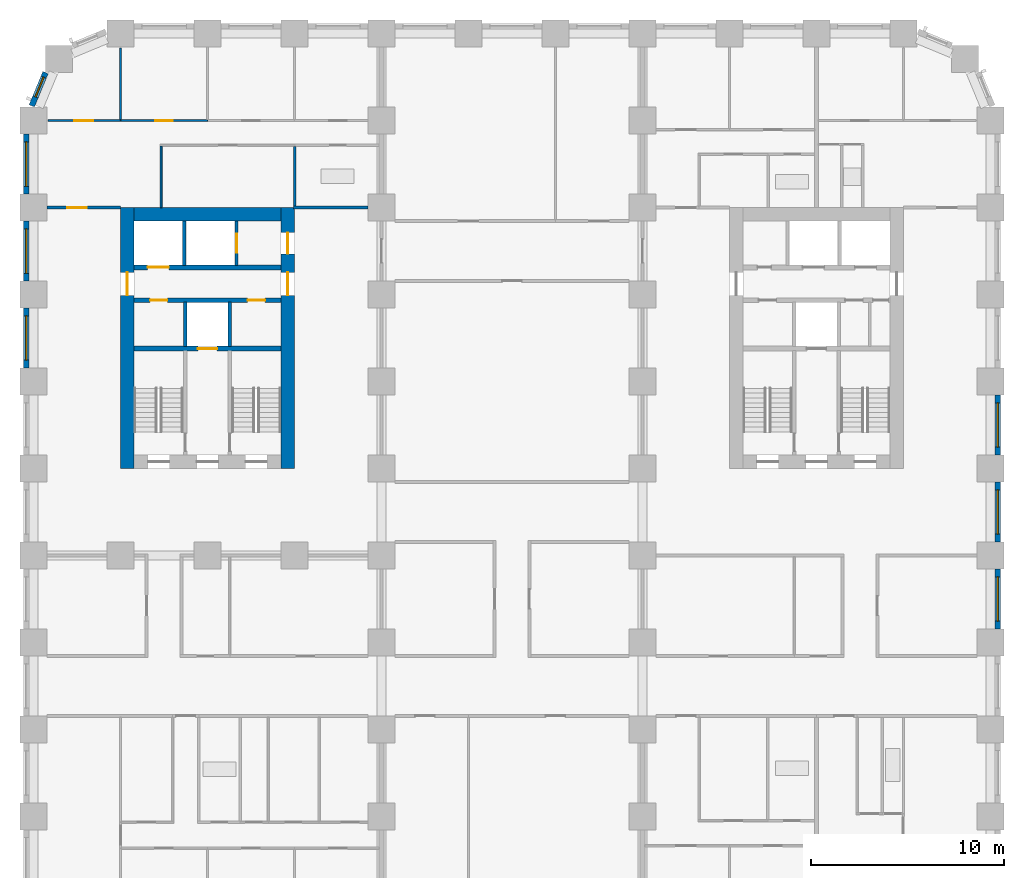
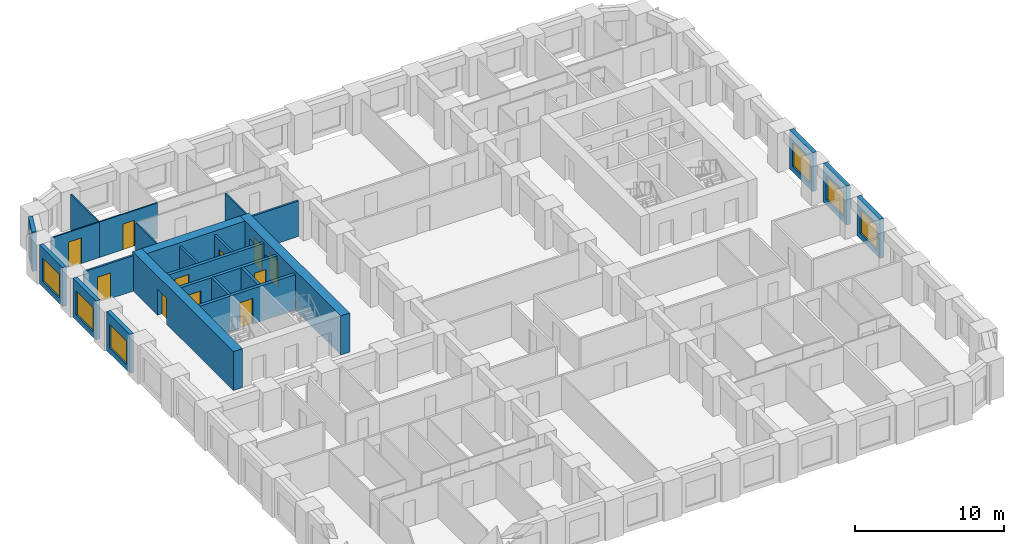
# One storey, part 6 of 12: 24 walls, 11 doors, 7 windows, 18 openings.
"""IFC4 building model written with IfcOpenShell, lengths in metres."""

from ifc_helpers import new_model, si_unit, direction, frame, frame_2d, origin, place, context, subcontext, project, spatial, rectangle, extrude, material, layer, layer_set, type_object, element, fill, save


model = new_model("IFC4")

# Units and contexts
model_context = context("Model", 3, precision=1e-05, world=origin(), true_north=direction((0.0, 1.0)))
body_context = subcontext(model_context, "Body", "Model", "MODEL_VIEW")
ifc_project = project(units=[si_unit("LENGTHUNIT", "METRE"), si_unit("AREAUNIT", "SQUARE_METRE"), si_unit("VOLUMEUNIT", "CUBIC_METRE"), si_unit("PLANEANGLEUNIT", "RADIAN"), si_unit("MASSUNIT", "GRAM", prefix="KILO")], contexts=[model_context])

# Site, building, storey
site_placement = place(None, origin())
site = spatial("IfcSite", under=ifc_project, at=site_placement, CompositionType="ELEMENT")
building_placement = place(site_placement, origin())
building = spatial("IfcBuilding", under=site, at=building_placement, Name="Girih Gate Residences", CompositionType="ELEMENT")
storey_placement = place(building_placement, frame((0.0, 0.0, 65.60009765625)))
storey = spatial("IfcBuildingStorey", under=building, at=storey_placement, Name="L17", CompositionType="ELEMENT", Elevation=65.60009765625)

# Wall
ifc_material_1 = material(Name="Gypsum board on steel studs", Category="steel")
ifc_layer_1 = layer(ifc_material_1, 0.14990234375)
ifc_layer_set_1 = layer_set([ifc_layer_1], Name="Compartment wall 150 mm")
wall_type_1 = type_object("IfcWallType", Name="Compartment wall 150 mm", PredefinedType="PARTITIONING", material=ifc_layer_set_1)
wall_1_placement = place(storey_placement, frame((13.45556640625, 40.5, 0.0), z_axis=(0.0, 0.0, 1.0), x_axis=(1.0, 0.0, 0.0)))
element("IfcWall", 1, at=wall_1_placement, inside=storey, type_object=wall_type_1, Name="L17 partition", PredefinedType="PARTITIONING", context=body_context, shape_type="SweptSolid", body=[
    extrude(rectangle(XDim=3.844482421875, YDim=0.14990234375, at=frame_2d((1.92236328125, 0.0))), origin(), (0.0, 0.0, 1.0), 2.89990234375),
])

# Wall, opening, door
wall_2_placement = place(storey_placement, frame((0.699951171875, 40.5, 0.0), z_axis=(0.0, 0.0, 1.0), x_axis=(1.0, 0.0, 0.0)))
wall_2 = element("IfcWall", 2, at=wall_2_placement, inside=storey, type_object=wall_type_1, Name="L17 partition", PredefinedType="PARTITIONING", context=body_context, shape_type="SweptSolid", body=[
    extrude(rectangle(XDim=3.800048828125, YDim=0.14990234375, at=frame_2d((1.89990234375, 0.0))), origin(), (0.0, 0.0, 1.0), 2.89990234375),
])
opening_1_placement = place(wall_2_placement, frame((1.050048828125, 0.0, 0.0)))
opening_1 = element("IfcOpeningElement", 3, at=opening_1_placement, cuts=wall_2, Name="Opening A17-017", PredefinedType="OPENING", context=body_context, shape_type="SweptSolid", body=[
    extrude(rectangle(XDim=1.0, YDim=2.10009765625, at=frame_2d((0.5, 1.050048828125))), frame((0.0, 0.0849609375, 0.0), z_axis=(0.0, -1.0, 0.0), x_axis=(1.0, 0.0, 0.0)), (0.0, 0.0, 1.0), 0.169921875),
])
ifc_material_2 = material(Name="Timber, fire-rated core", Category="wood")
door_type_1 = type_object("IfcDoorType", Name="Flat entrance door 1000x2100 FD30S", OperationType="NOTDEFINED", PredefinedType="DOOR", material=ifc_material_2)
door_1_placement = place(opening_1_placement, origin())
door_1 = element("IfcDoor", 4, at=door_1_placement, inside=storey, type_object=door_type_1, Name="Door A17-017", OperationType="SINGLE_SWING_LEFT", OverallHeight=2.10009765625, OverallWidth=1.0, PredefinedType="DOOR", context=body_context, shape_type="SweptSolid", body=[
    extrude(rectangle(XDim=1.0, YDim=2.10009765625, at=frame_2d((0.5, 1.050048828125))), frame((0.0, 0.02490234375, 0.0), z_axis=(0.0, -1.0, 0.0), x_axis=(1.0, 0.0, 0.0)), (0.0, 0.0, 1.0), 0.050048828125),
])
fill(opening_1, door_1)

# Wall
ifc_material_3 = material(Name="Concrete C60/75", Category="concrete")
ifc_layer_2 = layer(ifc_material_3, 0.699951171875)
ifc_layer_set_2 = layer_set([ifc_layer_2], Name="Core wall RC 700 Concrete C60/75")
wall_type_2 = type_object("IfcWallType", Name="Core wall RC 700 Concrete C60/75", PredefinedType="SOLIDWALL", material=ifc_layer_set_2)
wall_3_placement = place(storey_placement, frame((5.199951171875, 40.14990234375, 0.0), z_axis=(0.0, 0.0, 1.0), x_axis=(1.0, 0.0, 0.0)))
element("IfcWall", 5, at=wall_3_placement, inside=storey, type_object=wall_type_2, Name="Core wall W-N L17", PredefinedType="SOLIDWALL", context=body_context, shape_type="SweptSolid", body=[
    extrude(rectangle(XDim=7.60009765625, YDim=0.699951171875, at=frame_2d((3.800048828125, 0.0))), origin(), (0.0, 0.0, 1.0), 3.199951171875),
])

# Wall, opening, door
wall_4_placement = place(storey_placement, frame((4.85009765625, 27.0, 0.0), z_axis=(0.0, 0.0, 1.0), x_axis=(0.0, 1.0, 0.0)))
wall_4 = element("IfcWall", 6, at=wall_4_placement, inside=storey, type_object=wall_type_2, Name="Core wall W-W L17", PredefinedType="SOLIDWALL", context=body_context, shape_type="SweptSolid", body=[
    extrude(rectangle(XDim=13.5, YDim=0.699951171875, at=frame_2d((6.75, 0.0))), origin(), (0.0, 0.0, 1.0), 3.199951171875),
])
opening_2_placement = place(wall_4_placement, frame((8.949951171875, 0.0, 0.0)))
opening_2 = element("IfcOpeningElement", 7, at=opening_2_placement, cuts=wall_4, Name="Opening D-L17-W-012", PredefinedType="OPENING", context=body_context, shape_type="SweptSolid", body=[
    extrude(rectangle(XDim=1.199951171875, YDim=2.10009765625, at=frame_2d((0.60009765625, 1.050048828125))), frame((0.0, 0.35986328125, 0.0), z_axis=(0.0, -1.0, 0.0), x_axis=(1.0, 0.0, 0.0)), (0.0, 0.0, 1.0), 0.719970703125),
])
ifc_material_4 = material(Name="Painted steel, fire-resisting", Category="steel")
door_type_2 = type_object("IfcDoorType", Name="Fire door 1200x2100", OperationType="SINGLE_SWING_LEFT", PredefinedType="DOOR", material=ifc_material_4)
door_2_placement = place(opening_2_placement, origin())
door_2 = element("IfcDoor", 8, at=door_2_placement, inside=storey, type_object=door_type_2, Name="L17 W core door ll-w", OperationType="SINGLE_SWING_LEFT", OverallHeight=2.10009765625, OverallWidth=1.199951171875, PredefinedType="DOOR", context=body_context, shape_type="SweptSolid", body=[
    extrude(rectangle(XDim=1.199951171875, YDim=2.10009765625, at=frame_2d((0.60009765625, 1.050048828125))), frame((0.0, 0.02490234375, 0.0), z_axis=(0.0, -1.0, 0.0), x_axis=(1.0, 0.0, 0.0)), (0.0, 0.0, 1.0), 0.050048828125),
])
fill(opening_2, door_2)

# Wall, openings, doors
wall_5_placement = place(storey_placement, frame((13.14990234375, 27.0, 0.0), z_axis=(0.0, 0.0, 1.0), x_axis=(0.0, 1.0, 0.0)))
wall_5 = element("IfcWall", 9, at=wall_5_placement, inside=storey, type_object=wall_type_2, Name="Core wall W-E L17", PredefinedType="SOLIDWALL", context=body_context, shape_type="SweptSolid", body=[
    extrude(rectangle(XDim=13.5, YDim=0.699951171875, at=frame_2d((6.75, 0.0))), origin(), (0.0, 0.0, 1.0), 3.199951171875),
])
opening_3_placement = place(wall_5_placement, frame((11.10009765625, 0.0, 0.0)))
opening_3 = element("IfcOpeningElement", 10, at=opening_3_placement, cuts=wall_5, Name="Opening D-L17-W-011", PredefinedType="OPENING", context=body_context, shape_type="SweptSolid", body=[
    extrude(rectangle(XDim=1.10009765625, YDim=2.10009765625, at=frame_2d((0.550048828125, 1.050048828125))), frame((0.0, 0.35986328125, 0.0), z_axis=(0.0, -1.0, 0.0), x_axis=(1.0, 0.0, 0.0)), (0.0, 0.0, 1.0), 0.719970703125),
])
opening_4_placement = place(wall_5_placement, frame((8.949951171875, 0.0, 0.0)))
opening_4 = element("IfcOpeningElement", 11, at=opening_4_placement, cuts=wall_5, Name="Opening D-L17-W-013", PredefinedType="OPENING", context=body_context, shape_type="SweptSolid", body=[
    extrude(rectangle(XDim=1.199951171875, YDim=2.10009765625, at=frame_2d((0.60009765625, 1.050048828125))), frame((0.0, 0.35986328125, 0.0), z_axis=(0.0, -1.0, 0.0), x_axis=(1.0, 0.0, 0.0)), (0.0, 0.0, 1.0), 0.719970703125),
])
door_type_3 = type_object("IfcDoorType", Name="Fire door 1100x2100", OperationType="SINGLE_SWING_LEFT", PredefinedType="DOOR", material=ifc_material_4)
door_3_placement = place(opening_3_placement, origin())
door_3 = element("IfcDoor", 12, at=door_3_placement, inside=storey, type_object=door_type_3, Name="L17 W core door ffl2-e", OperationType="SINGLE_SWING_LEFT", OverallHeight=2.10009765625, OverallWidth=1.10009765625, PredefinedType="DOOR", context=body_context, shape_type="SweptSolid", body=[
    extrude(rectangle(XDim=1.10009765625, YDim=2.10009765625, at=frame_2d((0.550048828125, 1.050048828125))), frame((0.0, 0.02490234375, 0.0), z_axis=(0.0, -1.0, 0.0), x_axis=(1.0, 0.0, 0.0)), (0.0, 0.0, 1.0), 0.050048828125),
])
fill(opening_3, door_3)
door_4_placement = place(opening_4_placement, origin())
door_4 = element("IfcDoor", 13, at=door_4_placement, inside=storey, type_object=door_type_2, Name="L17 W core door ll-e", OperationType="SINGLE_SWING_LEFT", OverallHeight=2.10009765625, OverallWidth=1.199951171875, PredefinedType="DOOR", context=body_context, shape_type="SweptSolid", body=[
    extrude(rectangle(XDim=1.199951171875, YDim=2.10009765625, at=frame_2d((0.60009765625, 1.050048828125))), frame((0.0, 0.02490234375, 0.0), z_axis=(0.0, -1.0, 0.0), x_axis=(1.0, 0.0, 0.0)), (0.0, 0.0, 1.0), 0.050048828125),
])
fill(opening_4, door_4)

# Wall, opening, door
ifc_material_5 = material(Name="Concrete C40/50", Category="concrete")
ifc_layer_3 = layer(ifc_material_5, 0.25)
ifc_layer_set_3 = layer_set([ifc_layer_3], Name="Lift shaft wall 250")
wall_type_3 = type_object("IfcWallType", Name="Lift shaft wall 250", PredefinedType="SOLIDWALL", material=ifc_layer_set_3)
wall_6_placement = place(storey_placement, frame((5.199951171875, 33.199951171875, 0.0), z_axis=(0.0, 0.0, 1.0), x_axis=(1.0, 0.0, 0.0)))
wall_6 = element("IfcWall", 14, at=wall_6_placement, inside=storey, type_object=wall_type_3, Name="L17 W core wall H1", PredefinedType="SOLIDWALL", context=body_context, shape_type="SweptSolid", body=[
    extrude(rectangle(XDim=7.60009765625, YDim=0.25, at=frame_2d((3.800048828125, 0.0))), origin(), (0.0, 0.0, 1.0), 2.89990234375),
])
opening_5_placement = place(wall_6_placement, frame((3.300048828125, 0.0, 0.0)))
opening_5 = element("IfcOpeningElement", 15, at=opening_5_placement, cuts=wall_6, Name="Opening D-L17-W-005", PredefinedType="OPENING", context=body_context, shape_type="SweptSolid", body=[
    extrude(rectangle(XDim=1.0, YDim=2.10009765625, at=frame_2d((0.5, 1.050048828125))), frame((0.0, 0.135009765625, 0.0), z_axis=(0.0, -1.0, 0.0), x_axis=(1.0, 0.0, 0.0)), (0.0, 0.0, 1.0), 0.27001953125),
])
ifc_material_6 = material(Name="Stainless steel, fire-resisting", Category="steel")
door_type_4 = type_object("IfcDoorType", Name="Firefighting lift landing door 1000x2100", OperationType="SLIDING_TO_LEFT", PredefinedType="DOOR", material=ifc_material_6)
door_5_placement = place(opening_5_placement, origin())
door_5 = element("IfcDoor", 16, at=door_5_placement, inside=storey, type_object=door_type_4, Name="L17 lift FF-W landing door", OperationType="SLIDING_TO_LEFT", OverallHeight=2.10009765625, OverallWidth=1.0, PredefinedType="DOOR", context=body_context, shape_type="SweptSolid", body=[
    extrude(rectangle(XDim=1.0, YDim=2.10009765625, at=frame_2d((0.5, 1.050048828125))), frame((0.0, 0.02490234375, 0.0), z_axis=(0.0, -1.0, 0.0), x_axis=(1.0, 0.0, 0.0)), (0.0, 0.0, 1.0), 0.050048828125),
])
fill(opening_5, door_5)

# Wall, openings, doors
wall_7_placement = place(storey_placement, frame((5.199951171875, 35.699951171875, 0.0), z_axis=(0.0, 0.0, 1.0), x_axis=(1.0, 0.0, 0.0)))
wall_7 = element("IfcWall", 17, at=wall_7_placement, inside=storey, type_object=wall_type_3, Name="L17 W core wall H2", PredefinedType="SOLIDWALL", context=body_context, shape_type="SweptSolid", body=[
    extrude(rectangle(XDim=7.60009765625, YDim=0.25, at=frame_2d((3.800048828125, 0.0))), origin(), (0.0, 0.0, 1.0), 2.89990234375),
])
opening_6_placement = place(wall_7_placement, frame((0.824951171875, 0.0, 0.0)))
opening_6 = element("IfcOpeningElement", 18, at=opening_6_placement, cuts=wall_7, Name="Opening D-L17-W-006", PredefinedType="OPENING", context=body_context, shape_type="SweptSolid", body=[
    extrude(rectangle(XDim=0.89990234375, YDim=2.10009765625, at=frame_2d((0.449951171875, 1.050048828125))), frame((0.0, 0.135009765625, 0.0), z_axis=(0.0, -1.0, 0.0), x_axis=(1.0, 0.0, 0.0)), (0.0, 0.0, 1.0), 0.27001953125),
])
opening_7_placement = place(wall_7_placement, frame((5.875, 0.0, 0.0)))
opening_7 = element("IfcOpeningElement", 19, at=opening_7_placement, cuts=wall_7, Name="Opening D-L17-W-007", PredefinedType="OPENING", context=body_context, shape_type="SweptSolid", body=[
    extrude(rectangle(XDim=0.89990234375, YDim=2.10009765625, at=frame_2d((0.449951171875, 1.050048828125))), frame((0.0, 0.135009765625, 0.0), z_axis=(0.0, -1.0, 0.0), x_axis=(1.0, 0.0, 0.0)), (0.0, 0.0, 1.0), 0.27001953125),
])
door_type_5 = type_object("IfcDoorType", Name="Fire door 900x2100", OperationType="SINGLE_SWING_LEFT", PredefinedType="DOOR", material=ifc_material_4)
door_6_placement = place(opening_6_placement, origin())
door_6 = element("IfcDoor", 20, at=door_6_placement, inside=storey, type_object=door_type_5, Name="L17 W comms room door", OperationType="SINGLE_SWING_LEFT", OverallHeight=2.10009765625, OverallWidth=0.89990234375, PredefinedType="DOOR", context=body_context, shape_type="SweptSolid", body=[
    extrude(rectangle(XDim=0.89990234375, YDim=2.10009765625, at=frame_2d((0.449951171875, 1.050048828125))), frame((0.0, 0.02490234375, 0.0), z_axis=(0.0, -1.0, 0.0), x_axis=(1.0, 0.0, 0.0)), (0.0, 0.0, 1.0), 0.050048828125),
])
fill(opening_6, door_6)
door_7_placement = place(opening_7_placement, origin())
door_7 = element("IfcDoor", 21, at=door_7_placement, inside=storey, type_object=door_type_5, Name="L17 W cleaners store door", OperationType="SINGLE_SWING_LEFT", OverallHeight=2.10009765625, OverallWidth=0.89990234375, PredefinedType="DOOR", context=body_context, shape_type="SweptSolid", body=[
    extrude(rectangle(XDim=0.89990234375, YDim=2.10009765625, at=frame_2d((0.449951171875, 1.050048828125))), frame((0.0, 0.02490234375, 0.0), z_axis=(0.0, -1.0, 0.0), x_axis=(1.0, 0.0, 0.0)), (0.0, 0.0, 1.0), 0.050048828125),
])
fill(opening_7, door_7)

# Wall, opening, door
wall_8_placement = place(storey_placement, frame((5.199951171875, 37.39990234375, 0.0), z_axis=(0.0, 0.0, 1.0), x_axis=(1.0, 0.0, 0.0)))
wall_8 = element("IfcWall", 22, at=wall_8_placement, inside=storey, type_object=wall_type_3, Name="L17 W core wall H3", PredefinedType="SOLIDWALL", context=body_context, shape_type="SweptSolid", body=[
    extrude(rectangle(XDim=7.60009765625, YDim=0.25, at=frame_2d((3.800048828125, 0.0))), origin(), (0.0, 0.0, 1.0), 2.89990234375),
])
opening_8_placement = place(wall_8_placement, frame((0.699951171875, 0.0, 0.0)))
opening_8 = element("IfcOpeningElement", 23, at=opening_8_placement, cuts=wall_8, Name="Opening D-L17-W-003", PredefinedType="OPENING", context=body_context, shape_type="SweptSolid", body=[
    extrude(rectangle(XDim=1.10009765625, YDim=2.39990234375, at=frame_2d((0.550048828125, 1.199951171875))), frame((0.0, 0.135009765625, 0.0), z_axis=(0.0, -1.0, 0.0), x_axis=(1.0, 0.0, 0.0)), (0.0, 0.0, 1.0), 0.27001953125),
])
ifc_material_7 = material(Name="Stainless steel", Category="steel")
door_type_6 = type_object("IfcDoorType", Name="Lift landing door 1100x2400", OperationType="SLIDING_TO_LEFT", PredefinedType="DOOR", material=ifc_material_7)
door_8_placement = place(opening_8_placement, origin())
door_8 = element("IfcDoor", 24, at=door_8_placement, inside=storey, type_object=door_type_6, Name="L17 lift LR-W1 landing door", OperationType="SLIDING_TO_LEFT", OverallHeight=2.39990234375, OverallWidth=1.10009765625, PredefinedType="DOOR", context=body_context, shape_type="SweptSolid", body=[
    extrude(rectangle(XDim=1.10009765625, YDim=2.39990234375, at=frame_2d((0.550048828125, 1.199951171875))), frame((0.0, 0.02490234375, 0.0), z_axis=(0.0, -1.0, 0.0), x_axis=(1.0, 0.0, 0.0)), (0.0, 0.0, 1.0), 0.050048828125),
])
fill(opening_8, door_8)

ifc_layer_4 = layer(ifc_material_1, 0.10009765625)
ifc_layer_set_4 = layer_set([ifc_layer_4], Name="Partition 100 mm")
wall_type_4 = type_object("IfcWallType", Name="Partition 100 mm", PredefinedType="PARTITIONING", material=ifc_layer_set_4)
wall_9_placement = place(storey_placement, frame((4.5, 45.0, 0.0), z_axis=(0.0, 0.0, 1.0), x_axis=(1.0, 0.0, 0.0)))
wall_9 = element("IfcWall", 25, at=wall_9_placement, inside=storey, type_object=wall_type_4, Name="L17 partition", PredefinedType="PARTITIONING", context=body_context, shape_type="SweptSolid", body=[
    extrude(rectangle(XDim=4.5, YDim=0.10009765625, at=frame_2d((2.25, 0.0))), origin(), (0.0, 0.0, 1.0), 2.89990234375),
])
opening_9_placement = place(wall_9_placement, frame((1.800048828125, 0.0, 0.0)))
opening_9 = element("IfcOpeningElement", 26, at=opening_9_placement, cuts=wall_9, Name="Opening A17-012", PredefinedType="OPENING", context=body_context, shape_type="SweptSolid", body=[
    extrude(rectangle(XDim=0.89990234375, YDim=2.10009765625, at=frame_2d((0.449951171875, 1.050048828125))), frame((0.0, 0.06005859375, 0.0), z_axis=(0.0, -1.0, 0.0), x_axis=(1.0, 0.0, 0.0)), (0.0, 0.0, 1.0), 0.1201171875),
])
ifc_material_8 = material(Name="Timber", Category="wood")
door_type_7 = type_object("IfcDoorType", Name="Bedroom door 900x2100", OperationType="NOTDEFINED", PredefinedType="DOOR", material=ifc_material_8)
door_9_placement = place(opening_9_placement, origin())
door_9 = element("IfcDoor", 27, at=door_9_placement, inside=storey, type_object=door_type_7, Name="Door A17-012", OperationType="SINGLE_SWING_RIGHT", OverallHeight=2.10009765625, OverallWidth=0.89990234375, PredefinedType="DOOR", context=body_context, shape_type="SweptSolid", body=[
    extrude(rectangle(XDim=0.89990234375, YDim=2.10009765625, at=frame_2d((0.449951171875, 1.050048828125))), frame((0.0, 0.02490234375, 0.0), z_axis=(0.0, -1.0, 0.0), x_axis=(1.0, 0.0, 0.0)), (0.0, 0.0, 1.0), 0.050048828125),
])
fill(opening_9, door_9)

# Walls
wall_10_placement = place(storey_placement, frame((4.5, 45.050048828125, 0.0), z_axis=(0.0, 0.0, 1.0), x_axis=(0.0, 1.0, 0.0)))
element("IfcWall", 28, at=wall_10_placement, inside=storey, type_object=wall_type_4, Name="L17 partition", PredefinedType="PARTITIONING", context=body_context, shape_type="SweptSolid", body=[
    extrude(rectangle(XDim=3.6923828125, YDim=0.10009765625, at=frame_2d((1.84619140625, 0.0))), origin(), (0.0, 0.0, 1.0), 2.89990234375),
])
wall_11_placement = place(storey_placement, frame((6.60009765625, 40.5, 0.0), z_axis=(0.0, 0.0, 1.0), x_axis=(0.0, 1.0, 0.0)))
element("IfcWall", 29, at=wall_11_placement, inside=storey, type_object=wall_type_4, Name="L17 partition", PredefinedType="PARTITIONING", context=body_context, shape_type="SweptSolid", body=[
    extrude(rectangle(XDim=3.169921875, YDim=0.10009765625, at=frame_2d((1.5849609375, 0.0))), origin(), (0.0, 0.0, 1.0), 2.89990234375),
])

# Wall, opening, door
wall_12_placement = place(storey_placement, frame((0.757568359375, 45.0, 0.0), z_axis=(0.0, 0.0, 1.0), x_axis=(1.0, 0.0, 0.0)))
wall_12 = element("IfcWall", 30, at=wall_12_placement, inside=storey, type_object=wall_type_4, Name="L17 partition", PredefinedType="PARTITIONING", context=body_context, shape_type="SweptSolid", body=[
    extrude(rectangle(XDim=3.742431640625, YDim=0.10009765625, at=frame_2d((1.87109375, 0.0))), origin(), (0.0, 0.0, 1.0), 2.89990234375),
])
opening_10_placement = place(wall_12_placement, frame((1.34228515625, 0.0, 0.0)))
opening_10 = element("IfcOpeningElement", 31, at=opening_10_placement, cuts=wall_12, Name="Opening A17-016", PredefinedType="OPENING", context=body_context, shape_type="SweptSolid", body=[
    extrude(rectangle(XDim=1.0, YDim=2.10009765625, at=frame_2d((0.5, 1.050048828125))), frame((0.0, 0.06005859375, 0.0), z_axis=(0.0, -1.0, 0.0), x_axis=(1.0, 0.0, 0.0)), (0.0, 0.0, 1.0), 0.1201171875),
])
door_type_8 = type_object("IfcDoorType", Name="Living room door 1000x2100", OperationType="NOTDEFINED", PredefinedType="DOOR", material=ifc_material_8)
door_10_placement = place(opening_10_placement, origin())
door_10 = element("IfcDoor", 32, at=door_10_placement, inside=storey, type_object=door_type_8, Name="Door A17-016", OperationType="SINGLE_SWING_LEFT", OverallHeight=2.10009765625, OverallWidth=1.0, PredefinedType="DOOR", context=body_context, shape_type="SweptSolid", body=[
    extrude(rectangle(XDim=1.0, YDim=2.10009765625, at=frame_2d((0.5, 1.050048828125))), frame((0.0, 0.02490234375, 0.0), z_axis=(0.0, -1.0, 0.0), x_axis=(1.0, 0.0, 0.0)), (0.0, 0.0, 1.0), 0.050048828125),
])
fill(opening_10, door_10)

# Wall, opening, window
ifc_material_9 = material(Name="Precast concrete C50/60", Category="concrete")
ifc_layer_5 = layer(ifc_material_9, 0.080078125, Name="Outer leaf")
ifc_material_10 = material(Name="Rigid PIR insulation")
ifc_layer_6 = layer(ifc_material_10, 0.14990234375, Name="Insulation")
ifc_material_11 = material(Name="Precast concrete C40/50", Category="concrete")
ifc_layer_7 = layer(ifc_material_11, 0.070068359375, Name="Inner leaf")
ifc_layer_set_5 = layer_set([ifc_layer_5, ifc_layer_6, ifc_layer_7], Name="Precast concrete C50/60 external wall 300")
wall_type_5 = type_object("IfcWallType", Name="Precast concrete C50/60 external wall 300", PredefinedType="SOLIDWALL", material=ifc_layer_set_5)
wall_13_placement = place(storey_placement, frame((49.875, 21.800048828125, 0.0), z_axis=(0.0, 0.0, 1.0), x_axis=(0.0, -1.0, 0.0)))
wall_13 = element("IfcWall", 33, at=wall_13_placement, inside=storey, type_object=wall_type_5, Name="External wall E0495_0045.3", PredefinedType="SOLIDWALL", context=body_context, shape_type="SweptSolid", body=[
    extrude(rectangle(XDim=3.10009765625, YDim=0.300048828125, at=frame_2d((1.550048828125, 0.0))), origin(), (0.0, 0.0, 1.0), 3.199951171875),
])
opening_11_placement = place(wall_13_placement, frame((0.39990234375, 0.0, 0.449951171875)))
opening_11 = element("IfcOpeningElement", 34, at=opening_11_placement, cuts=wall_13, Name="Opening W-1", PredefinedType="OPENING", context=body_context, shape_type="SweptSolid", body=[
    extrude(rectangle(XDim=2.300048828125, YDim=1.949951171875, at=frame_2d((1.14990234375, 0.97509765625))), frame((0.0, 0.159912109375, 0.0), z_axis=(0.0, -1.0, 0.0), x_axis=(1.0, 0.0, 0.0)), (0.0, 0.0, 1.0), 0.320068359375),
])
ifc_material_12 = material(Name="Double glazing in aluminium frame", Category="aluminium")
window_type_1 = type_object("IfcWindowType", Name="Window W-1 2300x1950", PartitioningType="SINGLE_PANEL", PredefinedType="WINDOW", material=ifc_material_12)
window_1_placement = place(opening_11_placement, origin())
window_1 = element("IfcWindow", 35, at=window_1_placement, inside=storey, type_object=window_type_1, Name="Window W-1 E0495_0045.3", OverallHeight=1.949951171875, OverallWidth=2.300048828125, PartitioningType="SINGLE_PANEL", PredefinedType="WINDOW", context=body_context, shape_type="SweptSolid", body=[
    extrude(rectangle(XDim=2.300048828125, YDim=1.949951171875, at=frame_2d((1.14990234375, 0.97509765625))), frame((0.0, 0.030029296875, 0.0), z_axis=(0.0, -1.0, 0.0), x_axis=(1.0, 0.0, 0.0)), (0.0, 0.0, 1.0), 0.06005859375),
])
fill(opening_11, window_1)

wall_14_placement = place(storey_placement, frame((49.875, 26.300048828125, 0.0), z_axis=(0.0, 0.0, 1.0), x_axis=(0.0, -1.0, 0.0)))
wall_14 = element("IfcWall", 36, at=wall_14_placement, inside=storey, type_object=wall_type_5, Name="External wall E0495_0045.4", PredefinedType="SOLIDWALL", context=body_context, shape_type="SweptSolid", body=[
    extrude(rectangle(XDim=3.10009765625, YDim=0.300048828125, at=frame_2d((1.550048828125, 0.0))), origin(), (0.0, 0.0, 1.0), 3.199951171875),
])
opening_12_placement = place(wall_14_placement, frame((0.39990234375, 0.0, 0.449951171875)))
opening_12 = element("IfcOpeningElement", 37, at=opening_12_placement, cuts=wall_14, Name="Opening W-1", PredefinedType="OPENING", context=body_context, shape_type="SweptSolid", body=[
    extrude(rectangle(XDim=2.300048828125, YDim=1.949951171875, at=frame_2d((1.14990234375, 0.97509765625))), frame((0.0, 0.159912109375, 0.0), z_axis=(0.0, -1.0, 0.0), x_axis=(1.0, 0.0, 0.0)), (0.0, 0.0, 1.0), 0.320068359375),
])
window_2_placement = place(opening_12_placement, origin())
window_2 = element("IfcWindow", 38, at=window_2_placement, inside=storey, type_object=window_type_1, Name="Window W-1 E0495_0045.4", OverallHeight=1.949951171875, OverallWidth=2.300048828125, PartitioningType="SINGLE_PANEL", PredefinedType="WINDOW", context=body_context, shape_type="SweptSolid", body=[
    extrude(rectangle(XDim=2.300048828125, YDim=1.949951171875, at=frame_2d((1.14990234375, 0.97509765625))), frame((0.0, 0.030029296875, 0.0), z_axis=(0.0, -1.0, 0.0), x_axis=(1.0, 0.0, 0.0)), (0.0, 0.0, 1.0), 0.06005859375),
])
fill(opening_12, window_2)

wall_15_placement = place(storey_placement, frame((49.875, 30.800048828125, 0.0), z_axis=(0.0, 0.0, 1.0), x_axis=(0.0, -1.0, 0.0)))
wall_15 = element("IfcWall", 39, at=wall_15_placement, inside=storey, type_object=wall_type_5, Name="External wall E0495_0045.5", PredefinedType="SOLIDWALL", context=body_context, shape_type="SweptSolid", body=[
    extrude(rectangle(XDim=3.10009765625, YDim=0.300048828125, at=frame_2d((1.550048828125, 0.0))), origin(), (0.0, 0.0, 1.0), 3.199951171875),
])
opening_13_placement = place(wall_15_placement, frame((0.39990234375, 0.0, 0.449951171875)))
opening_13 = element("IfcOpeningElement", 40, at=opening_13_placement, cuts=wall_15, Name="Opening W-1", PredefinedType="OPENING", context=body_context, shape_type="SweptSolid", body=[
    extrude(rectangle(XDim=2.300048828125, YDim=1.949951171875, at=frame_2d((1.14990234375, 0.97509765625))), frame((0.0, 0.159912109375, 0.0), z_axis=(0.0, -1.0, 0.0), x_axis=(1.0, 0.0, 0.0)), (0.0, 0.0, 1.0), 0.320068359375),
])
window_3_placement = place(opening_13_placement, origin())
window_3 = element("IfcWindow", 41, at=window_3_placement, inside=storey, type_object=window_type_1, Name="Window W-1 E0495_0045.5", OverallHeight=1.949951171875, OverallWidth=2.300048828125, PartitioningType="SINGLE_PANEL", PredefinedType="WINDOW", context=body_context, shape_type="SweptSolid", body=[
    extrude(rectangle(XDim=2.300048828125, YDim=1.949951171875, at=frame_2d((1.14990234375, 0.97509765625))), frame((0.0, 0.030029296875, 0.0), z_axis=(0.0, -1.0, 0.0), x_axis=(1.0, 0.0, 0.0)), (0.0, 0.0, 1.0), 0.06005859375),
])
fill(opening_13, window_3)

wall_16_placement = place(storey_placement, frame((-0.09228515625, 45.75732421875, 0.0), z_axis=(0.0, 0.0, 1.0), x_axis=(0.382737135771, 0.923857286003, 0.0)))
wall_16 = element("IfcWall", 42, at=wall_16_placement, inside=storey, type_object=wall_type_5, Name="External wall NW0013_0482.0", PredefinedType="SOLIDWALL", context=body_context, shape_type="SweptSolid", body=[
    extrude(rectangle(XDim=1.865234375, YDim=0.300048828125, at=frame_2d((0.9326171875, 0.0))), origin(), (0.0, 0.0, 1.0), 3.199951171875),
])
opening_14_placement = place(wall_16_placement, frame((0.507568359375, 0.0, 0.449951171875)))
opening_14 = element("IfcOpeningElement", 43, at=opening_14_placement, cuts=wall_16, Name="Opening W-2C", PredefinedType="OPENING", context=body_context, shape_type="SweptSolid", body=[
    extrude(rectangle(XDim=1.10009765625, YDim=1.949951171875, at=frame_2d((0.550048828125, 0.97509765625))), frame((0.0, 0.159912109375, 0.0), z_axis=(0.0, -1.0, 0.0), x_axis=(1.0, 0.0, 0.0)), (0.0, 0.0, 1.0), 0.320068359375),
])
window_type_2 = type_object("IfcWindowType", Name="Window W-2C 1100x1950", PartitioningType="SINGLE_PANEL", PredefinedType="WINDOW", material=ifc_material_12)
window_4_placement = place(opening_14_placement, origin())
window_4 = element("IfcWindow", 44, at=window_4_placement, inside=storey, type_object=window_type_2, Name="Window W-2C NW0013_0482.0", OverallHeight=1.949951171875, OverallWidth=1.10009765625, PartitioningType="SINGLE_PANEL", PredefinedType="WINDOW", context=body_context, shape_type="SweptSolid", body=[
    extrude(rectangle(XDim=1.10009765625, YDim=1.949951171875, at=frame_2d((0.550048828125, 0.97509765625))), frame((0.0, 0.030029296875, 0.0), z_axis=(0.0, -1.0, 0.0), x_axis=(1.0, 0.0, 0.0)), (0.0, 0.0, 1.0), 0.06005859375),
])
fill(opening_14, window_4)

wall_17_placement = place(storey_placement, frame((-0.375, 41.199951171875, 0.0), z_axis=(0.0, 0.0, 1.0), x_axis=(0.0, 1.0, 0.0)))
wall_17 = element("IfcWall", 45, at=wall_17_placement, inside=storey, type_object=wall_type_5, Name="External wall W0000_0450.0", PredefinedType="SOLIDWALL", context=body_context, shape_type="SweptSolid", body=[
    extrude(rectangle(XDim=3.10009765625, YDim=0.300048828125, at=frame_2d((1.550048828125, 0.0))), origin(), (0.0, 0.0, 1.0), 3.199951171875),
])
opening_15_placement = place(wall_17_placement, frame((0.39990234375, 0.0, 0.449951171875)))
opening_15 = element("IfcOpeningElement", 46, at=opening_15_placement, cuts=wall_17, Name="Opening W-1", PredefinedType="OPENING", context=body_context, shape_type="SweptSolid", body=[
    extrude(rectangle(XDim=2.300048828125, YDim=1.949951171875, at=frame_2d((1.14990234375, 0.97509765625))), frame((0.0, 0.159912109375, 0.0), z_axis=(0.0, -1.0, 0.0), x_axis=(1.0, 0.0, 0.0)), (0.0, 0.0, 1.0), 0.320068359375),
])
window_5_placement = place(opening_15_placement, origin())
window_5 = element("IfcWindow", 47, at=window_5_placement, inside=storey, type_object=window_type_1, Name="Window W-1 W0000_0450.0", OverallHeight=1.949951171875, OverallWidth=2.300048828125, PartitioningType="SINGLE_PANEL", PredefinedType="WINDOW", context=body_context, shape_type="SweptSolid", body=[
    extrude(rectangle(XDim=2.300048828125, YDim=1.949951171875, at=frame_2d((1.14990234375, 0.97509765625))), frame((0.0, 0.030029296875, 0.0), z_axis=(0.0, -1.0, 0.0), x_axis=(1.0, 0.0, 0.0)), (0.0, 0.0, 1.0), 0.06005859375),
])
fill(opening_15, window_5)

wall_18_placement = place(storey_placement, frame((-0.375, 36.699951171875, 0.0), z_axis=(0.0, 0.0, 1.0), x_axis=(0.0, 1.0, 0.0)))
wall_18 = element("IfcWall", 48, at=wall_18_placement, inside=storey, type_object=wall_type_5, Name="External wall W0000_0450.1", PredefinedType="SOLIDWALL", context=body_context, shape_type="SweptSolid", body=[
    extrude(rectangle(XDim=3.10009765625, YDim=0.300048828125, at=frame_2d((1.550048828125, 0.0))), origin(), (0.0, 0.0, 1.0), 3.199951171875),
])
opening_16_placement = place(wall_18_placement, frame((0.39990234375, 0.0, 0.449951171875)))
opening_16 = element("IfcOpeningElement", 49, at=opening_16_placement, cuts=wall_18, Name="Opening W-1", PredefinedType="OPENING", context=body_context, shape_type="SweptSolid", body=[
    extrude(rectangle(XDim=2.300048828125, YDim=1.949951171875, at=frame_2d((1.14990234375, 0.97509765625))), frame((0.0, 0.159912109375, 0.0), z_axis=(0.0, -1.0, 0.0), x_axis=(1.0, 0.0, 0.0)), (0.0, 0.0, 1.0), 0.320068359375),
])
window_6_placement = place(opening_16_placement, origin())
window_6 = element("IfcWindow", 50, at=window_6_placement, inside=storey, type_object=window_type_1, Name="Window W-1 W0000_0450.1", OverallHeight=1.949951171875, OverallWidth=2.300048828125, PartitioningType="SINGLE_PANEL", PredefinedType="WINDOW", context=body_context, shape_type="SweptSolid", body=[
    extrude(rectangle(XDim=2.300048828125, YDim=1.949951171875, at=frame_2d((1.14990234375, 0.97509765625))), frame((0.0, 0.030029296875, 0.0), z_axis=(0.0, -1.0, 0.0), x_axis=(1.0, 0.0, 0.0)), (0.0, 0.0, 1.0), 0.06005859375),
])
fill(opening_16, window_6)

wall_19_placement = place(storey_placement, frame((-0.375, 32.199951171875, 0.0), z_axis=(0.0, 0.0, 1.0), x_axis=(0.0, 1.0, 0.0)))
wall_19 = element("IfcWall", 51, at=wall_19_placement, inside=storey, type_object=wall_type_5, Name="External wall W0000_0450.2", PredefinedType="SOLIDWALL", context=body_context, shape_type="SweptSolid", body=[
    extrude(rectangle(XDim=3.10009765625, YDim=0.300048828125, at=frame_2d((1.550048828125, 0.0))), origin(), (0.0, 0.0, 1.0), 3.199951171875),
])
opening_17_placement = place(wall_19_placement, frame((0.39990234375, 0.0, 0.449951171875)))
opening_17 = element("IfcOpeningElement", 52, at=opening_17_placement, cuts=wall_19, Name="Opening W-1", PredefinedType="OPENING", context=body_context, shape_type="SweptSolid", body=[
    extrude(rectangle(XDim=2.300048828125, YDim=1.949951171875, at=frame_2d((1.14990234375, 0.97509765625))), frame((0.0, 0.159912109375, 0.0), z_axis=(0.0, -1.0, 0.0), x_axis=(1.0, 0.0, 0.0)), (0.0, 0.0, 1.0), 0.320068359375),
])
window_7_placement = place(opening_17_placement, origin())
window_7 = element("IfcWindow", 53, at=window_7_placement, inside=storey, type_object=window_type_1, Name="Window W-1 W0000_0450.2", OverallHeight=1.949951171875, OverallWidth=2.300048828125, PartitioningType="SINGLE_PANEL", PredefinedType="WINDOW", context=body_context, shape_type="SweptSolid", body=[
    extrude(rectangle(XDim=2.300048828125, YDim=1.949951171875, at=frame_2d((1.14990234375, 0.97509765625))), frame((0.0, 0.030029296875, 0.0), z_axis=(0.0, -1.0, 0.0), x_axis=(1.0, 0.0, 0.0)), (0.0, 0.0, 1.0), 0.06005859375),
])
fill(opening_17, window_7)

# Wall
ifc_layer_8 = layer(ifc_material_5, 0.175048828125)
ifc_layer_set_6 = layer_set([ifc_layer_8], Name="Riser shaft wall 175")
wall_type_6 = type_object("IfcWallType", Name="Riser shaft wall 175", PredefinedType="SOLIDWALL", material=ifc_layer_set_6)
wall_20_placement = place(storey_placement, frame((7.800048828125, 37.5, 0.0), z_axis=(0.0, 0.0, 1.0), x_axis=(0.0, 1.0, 0.0)))
element("IfcWall", 54, at=wall_20_placement, inside=storey, type_object=wall_type_6, Name="L17 W core wall V1c", PredefinedType="SOLIDWALL", context=body_context, shape_type="SweptSolid", body=[
    extrude(rectangle(XDim=2.300048828125, YDim=0.175048828125, at=frame_2d((1.14990234375, 0.0))), origin(), (0.0, 0.0, 1.0), 2.89990234375),
])

# Wall, opening, door
wall_21_placement = place(storey_placement, frame((10.5, 37.5, 0.0), z_axis=(0.0, 0.0, 1.0), x_axis=(0.0, 1.0, 0.0)))
wall_21 = element("IfcWall", 55, at=wall_21_placement, inside=storey, type_object=wall_type_6, Name="L17 W core wall V2c", PredefinedType="SOLIDWALL", context=body_context, shape_type="SweptSolid", body=[
    extrude(rectangle(XDim=2.300048828125, YDim=0.175048828125, at=frame_2d((1.14990234375, 0.0))), origin(), (0.0, 0.0, 1.0), 2.89990234375),
])
opening_18_placement = place(wall_21_placement, frame((0.64990234375, 0.0, 0.0)))
opening_18 = element("IfcOpeningElement", 56, at=opening_18_placement, cuts=wall_21, Name="Opening D-L17-W-004", PredefinedType="OPENING", context=body_context, shape_type="SweptSolid", body=[
    extrude(rectangle(XDim=1.0, YDim=2.10009765625, at=frame_2d((0.5, 1.050048828125))), frame((0.0, 0.097412109375, 0.0), z_axis=(0.0, -1.0, 0.0), x_axis=(1.0, 0.0, 0.0)), (0.0, 0.0, 1.0), 0.195068359375),
])
door_11_placement = place(opening_18_placement, origin())
door_11 = element("IfcDoor", 57, at=door_11_placement, inside=storey, type_object=door_type_4, Name="L17 lift FF-W2 landing door", OperationType="SLIDING_TO_LEFT", OverallHeight=2.10009765625, OverallWidth=1.0, PredefinedType="DOOR", context=body_context, shape_type="SweptSolid", body=[
    extrude(rectangle(XDim=1.0, YDim=2.10009765625, at=frame_2d((0.5, 1.050048828125))), frame((0.0, 0.02490234375, 0.0), z_axis=(0.0, -1.0, 0.0), x_axis=(1.0, 0.0, 0.0)), (0.0, 0.0, 1.0), 0.050048828125),
])
fill(opening_18, door_11)

# Walls
ifc_layer_9 = layer(ifc_material_5, 0.199951171875)
ifc_layer_set_7 = layer_set([ifc_layer_9], Name="Shaft wall 200")
wall_type_7 = type_object("IfcWallType", Name="Shaft wall 200", PredefinedType="SOLIDWALL", material=ifc_layer_set_7)
for number, where, z_axis, x_axis, name in (
    (58, (7.85009765625, 33.300048828125, 0.0), (0.0, 0.0, 1.0), (0.0, 1.0, 0.0), "L17 W core wall V1b"),
    (59, (10.14990234375, 33.300048828125, 0.0), (0.0, 0.0, 1.0), (0.0, 1.0, 0.0), "L17 W core wall V2b"),
):
    element("IfcWall", number, at=place(storey_placement, frame(where, z_axis=z_axis, x_axis=x_axis)), inside=storey, type_object=wall_type_7, Name=name, PredefinedType="SOLIDWALL", context=body_context, shape_type="SweptSolid", body=[
        extrude(rectangle(XDim=2.300048828125, YDim=0.199951171875, at=frame_2d((1.14990234375, 0.0))), origin(), (0.0, 0.0, 1.0), 2.89990234375),
    ])
ifc_layer_10 = layer(ifc_material_1, 0.125)
ifc_layer_set_8 = layer_set([ifc_layer_10], Name="Wet room wall 125 mm")
wall_type_8 = type_object("IfcWallType", Name="Wet room wall 125 mm", PredefinedType="PARTITIONING", material=ifc_layer_set_8)
wall_22_placement = place(storey_placement, frame((13.51806640625, 40.574951171875, 0.0), z_axis=(0.0, 0.0, 1.0), x_axis=(0.0, 1.0, 0.0)))
element("IfcWall", 60, at=wall_22_placement, inside=storey, type_object=wall_type_8, Name="L17 partition", PredefinedType="PARTITIONING", context=body_context, shape_type="SweptSolid", body=[
    extrude(rectangle(XDim=3.08251953125, YDim=0.125, at=frame_2d((1.541259765625, 0.0))), origin(), (0.0, 0.0, 1.0), 2.89990234375),
])

save(model, "model.ifc")
